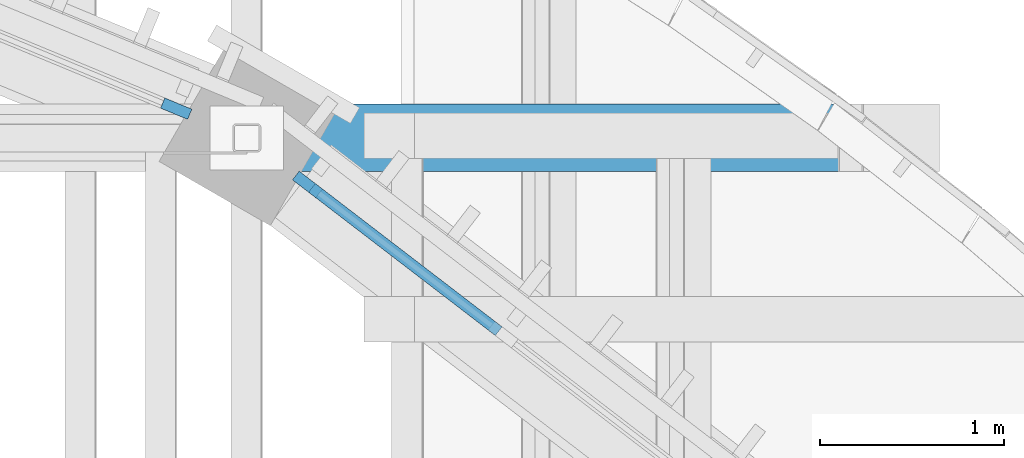
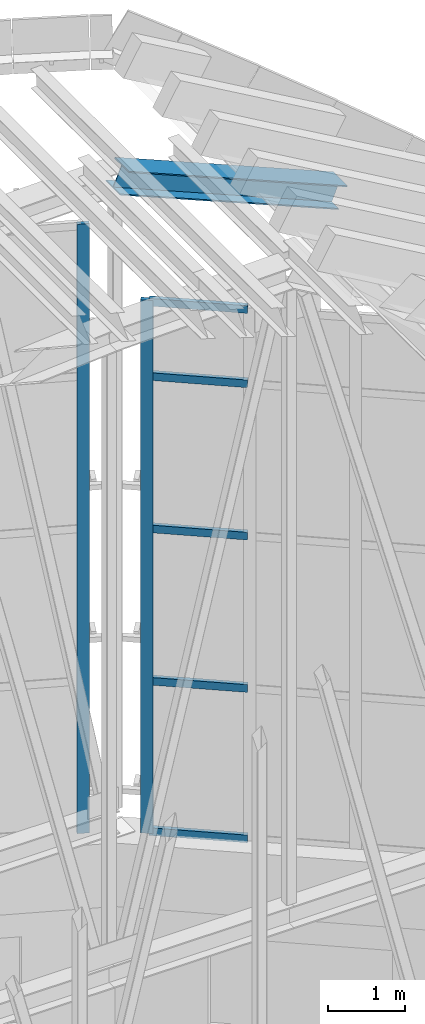
# One storey, part 35 of 105: 8 members, 2 elements without a shape of their own.
"""IFC4 building model written with IfcOpenShell, lengths in metres."""

from ifc_helpers import new_model, si_unit, direction, frame, origin, origin_2d, place, context, subcontext, project, spatial, rectangle, i_section, extrude, material, layer, layer_set, material_profile, profile_set, type_object, element, aggregate, save


model = new_model("IFC4")

# Units and contexts
model_context = context("Model", 3, precision=1e-05, world=origin(), true_north=direction((0.0, 1.0)))
body_context = subcontext(model_context, "Body", "Model", "MODEL_VIEW")
ifc_project = project(units=[si_unit("LENGTHUNIT", "METRE"), si_unit("AREAUNIT", "SQUARE_METRE"), si_unit("VOLUMEUNIT", "CUBIC_METRE"), si_unit("PLANEANGLEUNIT", "RADIAN"), si_unit("MASSUNIT", "GRAM", prefix="KILO")], contexts=[model_context])

# Site, building, storey
site_placement = place(None, origin())
site = spatial("IfcSite", under=ifc_project, at=site_placement, CompositionType="ELEMENT")
building_placement = place(site_placement, origin())
building = spatial("IfcBuilding", under=site, at=building_placement, Name="Wasatch Bagh Community Centre", CompositionType="ELEMENT")
storey_placement = place(building_placement, frame((0.0, 0.0, 16.800048828125)))
storey = spatial("IfcBuildingStorey", under=building, at=storey_placement, Name="L04", CompositionType="ELEMENT", Elevation=16.800048828125)

# Curtain wall, member
ifc_material_1 = material(Name="Aluminium curtain wall frame with low-iron glass", Category="aluminium")
ifc_layer_1 = layer(ifc_material_1, 0.10009765625)
ifc_layer_set_1 = layer_set([ifc_layer_1], Name="Aluminium curtain wall frame with low-iron glass")
curtain_wall_type_1 = type_object("IfcCurtainWallType", Name="MH end screen curtain wall 7", PredefinedType="NOTDEFINED", material=ifc_layer_set_1)
curtain_wall_1_placement = place(storey_placement, origin())
curtain_wall_1 = element("IfcCurtainWall", 1, at=curtain_wall_1_placement, inside=storey, type_object=curtain_wall_type_1, Name="End screen 22", PredefinedType="NOTDEFINED")
ifc_material_2 = material(Name="Aluminium extrusion", Category="aluminium")
ifc_material_profile_1 = material_profile(ifc_material_2, rectangle(XDim=0.06005859375, YDim=0.159912109375, at=origin_2d()), Name="AL 60x160")
ifc_profile_set_1 = profile_set([ifc_material_profile_1], Name="Aluminium extrusion")
member_type_1 = type_object("IfcMemberType", Name="MH end screen mullion 60x160", PredefinedType="MULLION", material=ifc_profile_set_1)
member_1_placement = place(storey_placement, frame((45.705322265625, 80.984375, 7.699951171875), z_axis=(0.0, 0.0, 1.0), x_axis=(-0.608761429036, -0.79335334027, 0.0)))
member_1 = element("IfcMember", 2, at=member_1_placement, type_object=member_type_1, Name="MH-CW7 mullion 4", PredefinedType="MULLION", context=body_context, shape_type="SweptSolid", body=[
    extrude(rectangle(XDim=0.06005859375, YDim=0.159912109375, at=origin_2d()), origin(), (0.0, 0.0, 1.0), 8.39990234375),
])

ifc_layer_2 = layer(ifc_material_1, 0.10009765625)
ifc_layer_set_2 = layer_set([ifc_layer_2], Name="Aluminium curtain wall frame with low-iron glass")
curtain_wall_type_2 = type_object("IfcCurtainWallType", Name="MH end screen curtain wall 8", PredefinedType="NOTDEFINED", material=ifc_layer_set_2)
curtain_wall_2_placement = place(storey_placement, origin())
curtain_wall_2 = element("IfcCurtainWall", 3, at=curtain_wall_2_placement, inside=storey, type_object=curtain_wall_type_2, Name="End screen 23", PredefinedType="NOTDEFINED")
member_2_placement = place(storey_placement, frame((44.990234375, 81.397216796875, 7.699951171875), z_axis=(0.0, 0.0, 1.0), x_axis=(-0.382683432188, -0.923879532585, 0.0)))
member_2 = element("IfcMember", 4, at=member_2_placement, type_object=member_type_1, Name="MH-CW8 mullion 1", PredefinedType="MULLION", context=body_context, shape_type="SweptSolid", body=[
    extrude(rectangle(XDim=0.06005859375, YDim=0.159912109375, at=origin_2d()), origin(), (0.0, 0.0, 1.0), 9.60009765625),
])
aggregate(curtain_wall_2, [member_2])

# Member
ifc_material_profile_2 = material_profile(ifc_material_2, rectangle(XDim=0.06005859375, YDim=0.1201171875, at=origin_2d()), Name="AL 60x120")
ifc_profile_set_2 = profile_set([ifc_material_profile_2], Name="Aluminium extrusion")
member_type_2 = type_object("IfcMemberType", Name="MH end screen transom 60x120", PredefinedType="USERDEFINED", material=ifc_profile_set_2)
member_3_placement = place(storey_placement, frame((46.747802734375, 80.1845703125, 7.72998046875), z_axis=(-0.793287968186, 0.608846614125, 0.0), x_axis=(-0.608846614125, -0.793287968186, 0.0)))
member_3 = element("IfcMember", 5, at=member_3_placement, type_object=member_type_2, Name="MH-CW7 transom 3.1", ObjectType="TRANSOM", PredefinedType="USERDEFINED", context=body_context, shape_type="SweptSolid", body=[
    extrude(rectangle(XDim=0.06005859375, YDim=0.1201171875, at=origin_2d()), origin(), (0.0, 0.0, 1.0), 1.283935546875),
])

member_4_placement = place(storey_placement, frame((46.747802734375, 80.1845703125, 10.099853515625), z_axis=(-0.793287968186, 0.608846614125, 0.0), x_axis=(-0.608846614125, -0.793287968186, 0.0)))
member_4 = element("IfcMember", 6, at=member_4_placement, type_object=member_type_2, Name="MH-CW7 transom 3.2", ObjectType="TRANSOM", PredefinedType="USERDEFINED", context=body_context, shape_type="SweptSolid", body=[
    extrude(rectangle(XDim=0.06005859375, YDim=0.1201171875, at=origin_2d()), origin(), (0.0, 0.0, 1.0), 1.283935546875),
])

member_5_placement = place(storey_placement, frame((46.747802734375, 80.1845703125, 12.5), z_axis=(-0.793287968186, 0.608846614125, 0.0), x_axis=(-0.608846614125, -0.793287968186, 0.0)))
member_5 = element("IfcMember", 7, at=member_5_placement, type_object=member_type_2, Name="MH-CW7 transom 3.3", ObjectType="TRANSOM", PredefinedType="USERDEFINED", context=body_context, shape_type="SweptSolid", body=[
    extrude(rectangle(XDim=0.06005859375, YDim=0.1201171875, at=origin_2d()), origin(), (0.0, 0.0, 1.0), 1.283935546875),
])

member_6_placement = place(storey_placement, frame((46.747802734375, 80.1845703125, 14.89990234375), z_axis=(-0.793287968186, 0.608846614125, 0.0), x_axis=(-0.608846614125, -0.793287968186, 0.0)))
member_6 = element("IfcMember", 8, at=member_6_placement, type_object=member_type_2, Name="MH-CW7 transom 3.4", ObjectType="TRANSOM", PredefinedType="USERDEFINED", context=body_context, shape_type="SweptSolid", body=[
    extrude(rectangle(XDim=0.06005859375, YDim=0.1201171875, at=origin_2d()), origin(), (0.0, 0.0, 1.0), 1.283935546875),
])

member_7_placement = place(storey_placement, frame((46.747802734375, 80.1845703125, 16.070068359375), z_axis=(-0.793287968186, 0.608846614125, 0.0), x_axis=(-0.608846614125, -0.793287968186, 0.0)))
member_7 = element("IfcMember", 9, at=member_7_placement, type_object=member_type_2, Name="MH-CW7 transom 3.5", ObjectType="TRANSOM", PredefinedType="USERDEFINED", context=body_context, shape_type="SweptSolid", body=[
    extrude(rectangle(XDim=0.06005859375, YDim=0.1201171875, at=origin_2d()), origin(), (0.0, 0.0, 1.0), 1.283935546875),
])

aggregate(curtain_wall_1, [member_1, member_3, member_4, member_5, member_6, member_7])

ifc_material_3 = material(Name="ASTM A992 Grade 50 steel", Category="steel")
ifc_material_profile_3 = material_profile(ifc_material_3, i_section(OverallWidth=0.368408203125, OverallDepth=0.355712890625, WebThickness=0.01123046875, FlangeThickness=0.01806640625, at=origin_2d()), Name="W14x90")
ifc_profile_set_3 = profile_set([ifc_material_profile_3], Name="ASTM A992 Grade 50 steel")
member_type_3 = type_object("IfcMemberType", Name="W14x90 chord", PredefinedType="CHORD", material=ifc_profile_set_3)
member_8_placement = place(storey_placement, frame((45.41064453125, 81.238037109375, 17.9814453125), z_axis=(0.921805770302, 0.0, -0.387652062858), x_axis=(0.0, 1.0, 0.0)))
element("IfcMember", 10, at=member_8_placement, inside=storey, type_object=member_type_3, Name="MH.TN4.TC12", PredefinedType="CHORD", context=body_context, shape_type="SweptSolid", body=[
    extrude(i_section(OverallWidth=0.368408203125, OverallDepth=0.355712890625, WebThickness=0.01123046875, FlangeThickness=0.01806640625, at=origin_2d()), origin(), (0.0, 0.0, 1.0), 3.53125),
])

save(model, "model.ifc")
